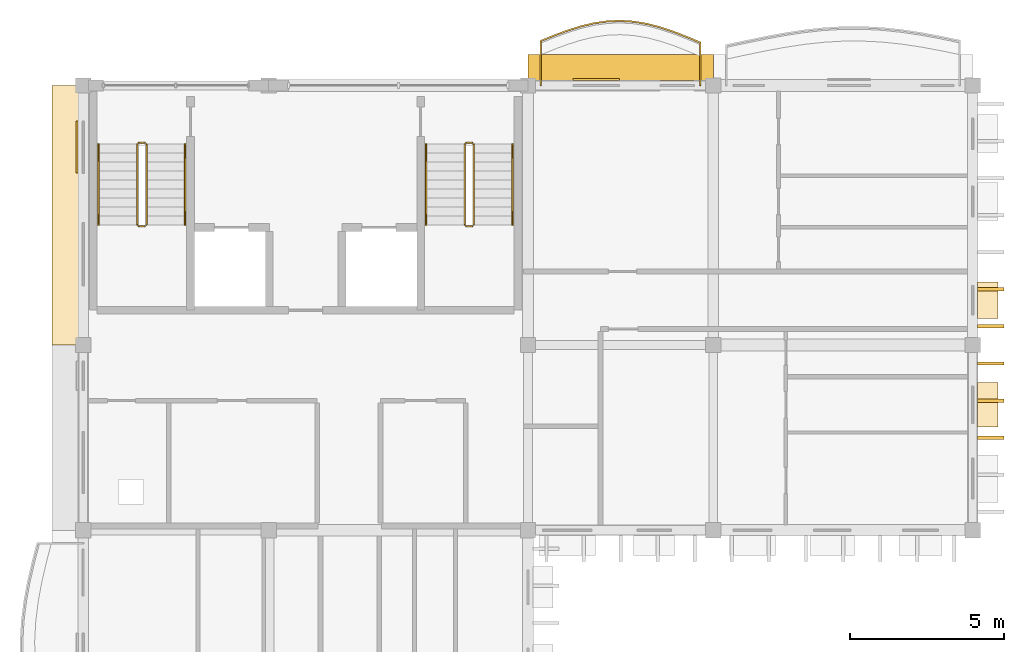
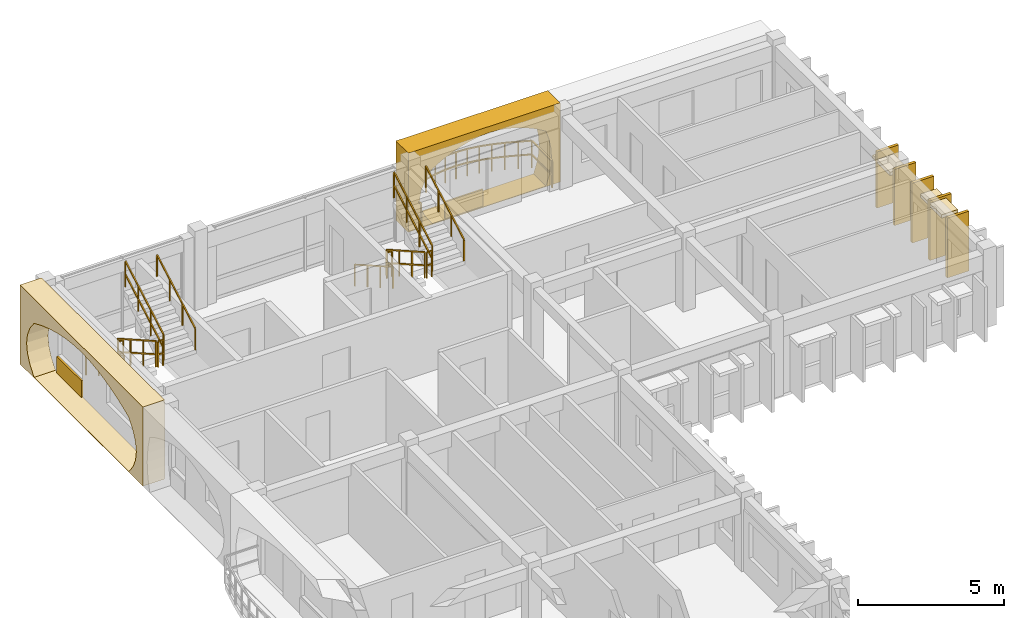
# One storey, part 10 of 11: 13 railings, 11 coverings.
"""IFC4 building model written with IfcOpenShell, lengths in metres."""

from ifc_helpers import new_model, si_unit, direction, frame, origin, origin_2d, place, context, subcontext, project, spatial, polyline, rectangle, outline, extrude, material, layer, layer_set, type_object, element, save


model = new_model("IFC4")

# Units and contexts
model_context = context("Model", 3, precision=1e-05, world=origin(), true_north=direction((0.0, 1.0)))
body_context = subcontext(model_context, "Body", "Model", "MODEL_VIEW")
ifc_project = project(units=[si_unit("LENGTHUNIT", "METRE"), si_unit("AREAUNIT", "SQUARE_METRE"), si_unit("VOLUMEUNIT", "CUBIC_METRE"), si_unit("PLANEANGLEUNIT", "RADIAN"), si_unit("MASSUNIT", "GRAM", prefix="KILO"), si_unit("THERMODYNAMICTEMPERATUREUNIT", "KELVIN")], contexts=[model_context])

# Site, building, storey
site_placement = place(None, origin())
site = spatial("IfcSite", under=ifc_project, at=site_placement, CompositionType="ELEMENT")
building_placement = place(site_placement, origin())
building = spatial("IfcBuilding", under=site, at=building_placement, Name="Thalorik Housing Commons", CompositionType="ELEMENT")
storey_placement = place(building_placement, frame((0.0, 0.0, 47.699951171875)))
storey = spatial("IfcBuildingStorey", under=building, at=storey_placement, Name="L14", CompositionType="ELEMENT", Elevation=47.699951171875)

# Coverings
ifc_material_1 = material(Name="Precast concrete C40/50", Category="concrete")
ifc_layer_1 = layer(ifc_material_1, 0.85009765625, Name="Precast concrete C40/50", Category="concrete")
ifc_layer_set_1 = layer_set([ifc_layer_1], Name="Precast concrete C40/50")
covering_type_1 = type_object("IfcCoveringType", Name="ARC-CLD-CUSH-850", PredefinedType="CLADDING", material=ifc_layer_set_1)
covering_1_placement = place(storey_placement, frame((25.800048828125, 124.18505859375, 0.0), z_axis=(0.0, 0.0, 1.0), x_axis=(-1.0, 0.0, 0.0)))
element("IfcCovering", 1, at=covering_1_placement, inside=storey, type_object=covering_type_1, Name="L14 White Precast Curved Cushion Bay Frame 1354", PredefinedType="CLADDING", context=body_context, shape_type="SweptSolid", body=[
    extrude(outline(polyline([(-3.0, 0.0), (3.0, 0.0), (3.0, 3.300048828125), (-3.0, 3.300048828125), (-3.0, 0.0)]), holes=[polyline([(2.0400390625, 0.02490234375), (2.3232421875, 0.407470703125), (2.493408203125, 0.7900390625), (2.550048828125, 1.172607421875), (2.493408203125, 1.554931640625), (2.3232421875, 1.9375), (2.0400390625, 2.320068359375), (1.66748046875, 2.539306640625), (1.294921875, 2.711181640625), (0.922607421875, 2.8505859375), (0.550048828125, 2.954345703125), (0.177490234375, 3.018310546875), (-0.195068359375, 3.0400390625), (-0.5673828125, 3.018310546875), (-0.93994140625, 2.954345703125), (-1.3125, 2.8505859375), (-1.68505859375, 2.711181640625), (-2.0576171875, 2.539306640625), (-2.429931640625, 2.320068359375), (-2.55029296875, 1.9375), (-2.62255859375, 1.554931640625), (-2.646484375, 1.172607421875), (-2.62255859375, 0.7900390625), (-2.55029296875, 0.407470703125), (-2.429931640625, 0.02490234375), (2.0400390625, 0.02490234375)])]), frame((0.0, 0.425048828125, 0.0), z_axis=(0.0, -1.0, 0.0), x_axis=(1.0, 0.0, 0.0)), (0.0, 0.0, 1.0), 0.85009765625),
])
covering_2_placement = place(storey_placement, frame((7.81494140625, 119.39990234375, 0.0), z_axis=(0.0, 0.0, 1.0), x_axis=(0.0, -1.0, 0.0)))
element("IfcCovering", 2, at=covering_2_placement, inside=storey, type_object=covering_type_1, Name="L14 White Precast Curved Cushion Bay Frame 1356", PredefinedType="CLADDING", context=body_context, shape_type="SweptSolid", body=[
    extrude(outline(polyline([(-4.199951171875, 0.0), (4.199951171875, 0.0), (4.199951171875, 3.300048828125), (-4.199951171875, 3.300048828125), (-4.199951171875, 0.0)]), holes=[polyline([(3.239990234375, 0.02490234375), (3.523193359375, 0.40087890625), (3.693359375, 0.776611328125), (3.75, 1.152587890625), (3.693359375, 1.5283203125), (3.523193359375, 1.904296875), (3.239990234375, 2.280029296875), (2.699951171875, 2.51123046875), (2.159912109375, 2.693115234375), (1.6201171875, 2.840087890625), (1.080078125, 2.94970703125), (0.5400390625, 3.01708984375), (0.0, 3.0400390625), (-0.5400390625, 3.01708984375), (-1.080078125, 2.94970703125), (-1.6201171875, 2.840087890625), (-2.159912109375, 2.693115234375), (-2.699951171875, 2.51123046875), (-3.239990234375, 2.280029296875), (-3.523193359375, 1.904296875), (-3.693359375, 1.5283203125), (-3.75, 1.152587890625), (-3.693359375, 0.776611328125), (-3.523193359375, 0.40087890625), (-3.239990234375, 0.02490234375), (3.239990234375, 0.02490234375)])]), frame((0.0, 0.425048828125, 0.0), z_axis=(0.0, -1.0, 0.0), x_axis=(1.0, 0.0, 0.0)), (0.0, 0.0, 1.0), 0.85009765625),
])
ifc_layer_2 = layer(ifc_material_1, 0.85009765625, Name="Precast concrete C40/50", Category="concrete")
ifc_layer_set_2 = layer_set([ifc_layer_2], Name="Precast concrete C40/50")
covering_type_2 = type_object("IfcCoveringType", Name="ARC-CLD-FIN-850", PredefinedType="CLADDING", material=ifc_layer_set_2)
for number, where, z_axis, x_axis, name in (
    (3, (37.784912109375, 112.199951171875, 0.0400390625), (0.0, 0.0, 1.0), (0.0, 1.0, 0.0), "L14 Courtyard Precast Vertical Brise-Soleil Fin 1337"),
    (4, (37.784912109375, 113.39990234375, 0.0400390625), (0.0, 0.0, 1.0), (0.0, 1.0, 0.0), "L14 Courtyard Precast Vertical Brise-Soleil Fin 1338"),
    (5, (37.784912109375, 114.60009765625, 0.0400390625), (0.0, 0.0, 1.0), (0.0, 1.0, 0.0), "L14 Courtyard Precast Vertical Brise-Soleil Fin 1339"),
):
    element("IfcCovering", number, at=place(storey_placement, frame(where, z_axis=z_axis, x_axis=x_axis)), inside=storey, type_object=covering_type_2, Name=name, PredefinedType="CLADDING", context=body_context, shape_type="SweptSolid", body=[
        extrude(rectangle(XDim=0.110107421875, YDim=0.85009765625, at=origin_2d()), origin(), (0.0, 0.0, 1.0), 2.4951171875),
    ])
for number, where, z_axis, x_axis, name in (
    (6, (37.784912109375, 115.800048828125, 0.0400390625), (0.0, 0.0, 1.0), (0.0, 1.0, 0.0), "L14 Courtyard Precast Vertical Brise-Soleil Fin 1342"),
    (7, (37.784912109375, 117.0, 0.0400390625), (0.0, 0.0, 1.0), (0.0, 1.0, 0.0), "L14 Courtyard Precast Vertical Brise-Soleil Fin 1343"),
):
    element("IfcCovering", number, at=place(storey_placement, frame(where, z_axis=z_axis, x_axis=x_axis)), inside=storey, type_object=covering_type_2, Name=name, PredefinedType="CLADDING", context=body_context, shape_type="SweptSolid", body=[
        extrude(rectangle(XDim=0.110107421875, YDim=0.85009765625, at=origin_2d()), origin(), (0.0, 0.0, 1.0), 2.344970703125),
    ])
ifc_layer_3 = layer(ifc_material_1, 0.64990234375, Name="Precast concrete C40/50", Category="concrete")
ifc_layer_set_3 = layer_set([ifc_layer_3], Name="Precast concrete C40/50")
covering_type_3 = type_object("IfcCoveringType", Name="ARC-CLD-HOOD-650", PredefinedType="CLADDING", material=ifc_layer_set_3)
covering_3_placement = place(storey_placement, frame((37.68505859375, 113.26513671875, 2.2900390625), z_axis=(0.0, 0.0, 1.0), x_axis=(0.0, 1.0, 0.0)))
element("IfcCovering", 8, at=covering_3_placement, inside=storey, type_object=covering_type_3, Name="L14 Courtyard Precast Window Sun-Hood 1341", PredefinedType="CLADDING", context=body_context, shape_type="SweptSolid", body=[
    extrude(rectangle(XDim=1.43994140625, YDim=0.64990234375, at=origin_2d()), origin(), (0.0, 0.0, 1.0), 0.139892578125),
])
covering_4_placement = place(storey_placement, frame((37.68505859375, 116.64990234375, 1.93994140625), z_axis=(0.0, 0.0, 1.0), x_axis=(0.0, 1.0, 0.0)))
element("IfcCovering", 9, at=covering_4_placement, inside=storey, type_object=covering_type_3, Name="L14 Courtyard Precast Window Sun-Hood 1349", PredefinedType="CLADDING", context=body_context, shape_type="SweptSolid", body=[
    extrude(rectangle(XDim=1.18994140625, YDim=0.64990234375, at=origin_2d()), origin(), (0.0, 0.0, 1.0), 0.139892578125),
])
ifc_material_2 = material(Name="Mineral ochre architectural terracotta panel", Category="masonry")
ifc_layer_4 = layer(ifc_material_2, 0.06494140625, Name="Mineral ochre architectural terracotta panel", Category="masonry")
ifc_layer_set_4 = layer_set([ifc_layer_4], Name="Mineral ochre architectural terracotta panel")
covering_type_4 = type_object("IfcCoveringType", Name="ARC-CLD-YEL-65", PredefinedType="CLADDING", material=ifc_layer_set_4)
covering_5_placement = place(storey_placement, frame((25.010009765625, 123.797607421875, 0.05029296875), z_axis=(0.0, 0.0, 1.0), x_axis=(-1.0, 0.0, 0.0)))
element("IfcCovering", 10, at=covering_5_placement, inside=storey, type_object=covering_type_4, Name="L14 De Stijl Recessed Window Spandrel 1355", PredefinedType="CLADDING", context=body_context, shape_type="SweptSolid", body=[
    extrude(rectangle(XDim=1.5, YDim=0.06494140625, at=origin_2d()), origin(), (0.0, 0.0, 1.0), 0.699951171875),
])
covering_6_placement = place(storey_placement, frame((8.202392578125, 121.603759765625, 0.05029296875), z_axis=(0.0, 0.0, 1.0), x_axis=(0.0, -1.0, 0.0)))
element("IfcCovering", 11, at=covering_6_placement, inside=storey, type_object=covering_type_4, Name="L14 De Stijl Recessed Window Spandrel 1357", PredefinedType="CLADDING", context=body_context, shape_type="SweptSolid", body=[
    extrude(rectangle(XDim=1.679931640625, YDim=0.06494140625, at=origin_2d()), origin(), (0.0, 0.0, 1.0), 0.699951171875),
])

# Railings
ifc_material_3 = material(Name="Steel S355", Category="steel")
railing_type_1 = type_object("IfcRailingType", Name="ARC-RL-BAL-115", PredefinedType="BALUSTRADE", material=ifc_material_3)
railing_1_placement = place(storey_placement, frame((28.3798828125, 123.60009765625, 0.0)))
element("IfcRailing", 12, at=railing_1_placement, inside=storey, type_object=railing_type_1, Name="L14 Cushion Balcony Guardrail 91", PredefinedType="BALUSTRADE", context=body_context, shape_type="SweptSolid", body=[
    extrude(rectangle(XDim=0.050048828125, YDim=0.050048828125, at=origin_2d()), frame((0.0, 0.0, 1.125), z_axis=(0.0, 1.0, 0.0), x_axis=(-1.0, 0.0, 0.0)), (0.0, 0.0, 1.0), 1.390625),
    extrude(rectangle(XDim=0.050048828125, YDim=0.050048828125, at=origin_2d()), frame((0.0, 0.0, 0.5498046875), z_axis=(0.0, 1.0, 0.0), x_axis=(-1.0, 0.0, 0.0)), (0.0, 0.0, 1.0), 1.390625),
    extrude(rectangle(XDim=0.050048828125, YDim=0.050048828125, at=origin_2d()), frame((0.0, 1.390625, 1.125), z_axis=(-0.922657844822, 0.385619633043, 0.0), x_axis=(-0.385619633043, -0.922657844822, 0.0)), (0.0, 0.0, 1.0), 0.466064453125),
    extrude(rectangle(XDim=0.050048828125, YDim=0.050048828125, at=origin_2d()), frame((0.0, 1.390625, 0.5498046875), z_axis=(-0.922657844822, 0.385619633043, 0.0), x_axis=(-0.385619633043, -0.922657844822, 0.0)), (0.0, 0.0, 1.0), 0.466064453125),
    extrude(rectangle(XDim=0.050048828125, YDim=0.050048828125, at=origin_2d()), frame((-0.429931640625, 1.5703125, 1.125), z_axis=(-0.931616942852, 0.363441703429, 0.0), x_axis=(-0.363441703429, -0.931616942852, 0.0)), (0.0, 0.0, 1.0), 0.46142578125),
    extrude(rectangle(XDim=0.050048828125, YDim=0.050048828125, at=origin_2d()), frame((-0.429931640625, 1.5703125, 0.5498046875), z_axis=(-0.931616942852, 0.363441703429, 0.0), x_axis=(-0.363441703429, -0.931616942852, 0.0)), (0.0, 0.0, 1.0), 0.46142578125),
    extrude(rectangle(XDim=0.050048828125, YDim=0.050048828125, at=origin_2d()), frame((-0.85986328125, 1.738037109375, 1.125), z_axis=(-0.948035297772, 0.318165168077, 0.0), x_axis=(-0.318165168077, -0.948035297772, 0.0)), (0.0, 0.0, 1.0), 0.45361328125),
    extrude(rectangle(XDim=0.050048828125, YDim=0.050048828125, at=origin_2d()), frame((-0.85986328125, 1.738037109375, 0.5498046875), z_axis=(-0.948035297772, 0.318165168077, 0.0), x_axis=(-0.318165168077, -0.948035297772, 0.0)), (0.0, 0.0, 1.0), 0.45361328125),
    extrude(rectangle(XDim=0.050048828125, YDim=0.050048828125, at=origin_2d()), frame((-1.289794921875, 1.88232421875, 1.125), z_axis=(-0.967570603948, 0.252600725208, 0.0), x_axis=(-0.252600725208, -0.967570603948, 0.0)), (0.0, 0.0, 1.0), 0.444580078125),
    extrude(rectangle(XDim=0.050048828125, YDim=0.050048828125, at=origin_2d()), frame((-1.289794921875, 1.88232421875, 0.5498046875), z_axis=(-0.967570603948, 0.252600725208, 0.0), x_axis=(-0.252600725208, -0.967570603948, 0.0)), (0.0, 0.0, 1.0), 0.444580078125),
    extrude(rectangle(XDim=0.050048828125, YDim=0.050048828125, at=origin_2d()), frame((-1.719970703125, 1.99462890625, 1.125), z_axis=(-0.986074270485, 0.16630554136, 0.0), x_axis=(-0.16630554136, -0.986074270485, 0.0)), (0.0, 0.0, 1.0), 0.43603515625),
    extrude(rectangle(XDim=0.050048828125, YDim=0.050048828125, at=origin_2d()), frame((-1.719970703125, 1.99462890625, 0.5498046875), z_axis=(-0.986074270485, 0.16630554136, 0.0), x_axis=(-0.16630554136, -0.986074270485, 0.0)), (0.0, 0.0, 1.0), 0.43603515625),
    extrude(rectangle(XDim=0.050048828125, YDim=0.050048828125, at=origin_2d()), frame((-2.14990234375, 2.067138671875, 1.125), z_axis=(-0.997800175086, 0.06629336768, 0.0), x_axis=(-0.06629336768, -0.997800175086, 0.0)), (0.0, 0.0, 1.0), 0.430908203125),
    extrude(rectangle(XDim=0.050048828125, YDim=0.050048828125, at=origin_2d()), frame((-2.14990234375, 2.067138671875, 0.5498046875), z_axis=(-0.997800175086, 0.06629336768, 0.0), x_axis=(-0.06629336768, -0.997800175086, 0.0)), (0.0, 0.0, 1.0), 0.430908203125),
    extrude(rectangle(XDim=0.050048828125, YDim=0.050048828125, at=origin_2d()), frame((-2.579833984375, 2.095703125, 1.125), z_axis=(-0.999210898113, -0.039718775053, 0.0), x_axis=(0.039718775053, -0.999210898113, 0.0)), (0.0, 0.0, 1.0), 0.43017578125),
    extrude(rectangle(XDim=0.050048828125, YDim=0.050048828125, at=origin_2d()), frame((-2.579833984375, 2.095703125, 0.5498046875), z_axis=(-0.999210898113, -0.039718775053, 0.0), x_axis=(0.039718775053, -0.999210898113, 0.0)), (0.0, 0.0, 1.0), 0.43017578125),
    extrude(rectangle(XDim=0.050048828125, YDim=0.050048828125, at=origin_2d()), frame((-3.009765625, 2.07861328125, 1.125), z_axis=(-0.989927008359, -0.141578664079, 0.0), x_axis=(0.141578664079, -0.989927008359, 0.0)), (0.0, 0.0, 1.0), 0.4345703125),
    extrude(rectangle(XDim=0.050048828125, YDim=0.050048828125, at=origin_2d()), frame((-3.009765625, 2.07861328125, 0.5498046875), z_axis=(-0.989927008359, -0.141578664079, 0.0), x_axis=(0.141578664079, -0.989927008359, 0.0)), (0.0, 0.0, 1.0), 0.4345703125),
    extrude(rectangle(XDim=0.050048828125, YDim=0.050048828125, at=origin_2d()), frame((-3.43994140625, 2.01708984375, 1.125), z_axis=(-0.973090069964, -0.230425076192, 0.0), x_axis=(0.230425076192, -0.973090069964, 0.0)), (0.0, 0.0, 1.0), 0.44189453125),
    extrude(rectangle(XDim=0.050048828125, YDim=0.050048828125, at=origin_2d()), frame((-3.43994140625, 2.01708984375, 0.5498046875), z_axis=(-0.973090069964, -0.230425076192, 0.0), x_axis=(0.230425076192, -0.973090069964, 0.0)), (0.0, 0.0, 1.0), 0.44189453125),
    extrude(rectangle(XDim=0.050048828125, YDim=0.050048828125, at=origin_2d()), frame((-3.869873046875, 1.915283203125, 1.125), z_axis=(-0.953909569084, -0.300094208559, 0.0), x_axis=(0.300094208559, -0.953909569084, 0.0)), (0.0, 0.0, 1.0), 0.45068359375),
    extrude(rectangle(XDim=0.050048828125, YDim=0.050048828125, at=origin_2d()), frame((-3.869873046875, 1.915283203125, 0.5498046875), z_axis=(-0.953909569084, -0.300094208559, 0.0), x_axis=(0.300094208559, -0.953909569084, 0.0)), (0.0, 0.0, 1.0), 0.45068359375),
    extrude(rectangle(XDim=0.050048828125, YDim=0.050048828125, at=origin_2d()), frame((-4.2998046875, 1.780029296875, 1.125), z_axis=(-0.937330979003, -0.348440290152, 0.0), x_axis=(0.348440290152, -0.937330979003, 0.0)), (0.0, 0.0, 1.0), 0.458984375),
    extrude(rectangle(XDim=0.050048828125, YDim=0.050048828125, at=origin_2d()), frame((-4.2998046875, 1.780029296875, 0.5498046875), z_axis=(-0.937330979003, -0.348440290152, 0.0), x_axis=(0.348440290152, -0.937330979003, 0.0)), (0.0, 0.0, 1.0), 0.458984375),
    extrude(rectangle(XDim=0.050048828125, YDim=0.050048828125, at=origin_2d()), frame((-4.72998046875, 1.6201171875, 1.125), z_axis=(-0.927090603985, -0.374837314047, 0.0), x_axis=(0.374837314047, -0.927090603985, 0.0)), (0.0, 0.0, 1.0), 0.463623046875),
    extrude(rectangle(XDim=0.050048828125, YDim=0.050048828125, at=origin_2d()), frame((-4.72998046875, 1.6201171875, 0.5498046875), z_axis=(-0.927090603985, -0.374837314047, 0.0), x_axis=(0.374837314047, -0.927090603985, 0.0)), (0.0, 0.0, 1.0), 0.463623046875),
    extrude(rectangle(XDim=0.050048828125, YDim=0.050048828125, at=origin_2d()), frame((-5.159912109375, 1.4462890625, 1.125), z_axis=(0.0, -1.0, 0.0), x_axis=(1.0, 0.0, 0.0)), (0.0, 0.0, 1.0), 1.4462890625),
    extrude(rectangle(XDim=0.050048828125, YDim=0.050048828125, at=origin_2d()), frame((-5.159912109375, 1.4462890625, 0.5498046875), z_axis=(0.0, -1.0, 0.0), x_axis=(1.0, 0.0, 0.0)), (0.0, 0.0, 1.0), 1.4462890625),
    extrude(rectangle(XDim=0.0419921875, YDim=0.0419921875, at=origin_2d()), origin(), (0.0, 0.0, 1.0), 1.099853515625),
    extrude(rectangle(XDim=0.0419921875, YDim=0.0419921875, at=origin_2d()), frame((0.0, 1.390625, 0.0)), (0.0, 0.0, 1.0), 1.099853515625),
    extrude(rectangle(XDim=0.0419921875, YDim=0.0419921875, at=origin_2d()), frame((-0.429931640625, 1.5703125, 0.0)), (0.0, 0.0, 1.0), 1.099853515625),
    extrude(rectangle(XDim=0.0419921875, YDim=0.0419921875, at=origin_2d()), frame((-0.85986328125, 1.738037109375, 0.0)), (0.0, 0.0, 1.0), 1.099853515625),
    extrude(rectangle(XDim=0.0419921875, YDim=0.0419921875, at=origin_2d()), frame((-1.289794921875, 1.88232421875, 0.0)), (0.0, 0.0, 1.0), 1.099853515625),
    extrude(rectangle(XDim=0.0419921875, YDim=0.0419921875, at=origin_2d()), frame((-1.719970703125, 1.99462890625, 0.0)), (0.0, 0.0, 1.0), 1.099853515625),
    extrude(rectangle(XDim=0.0419921875, YDim=0.0419921875, at=origin_2d()), frame((-2.14990234375, 2.067138671875, 0.0)), (0.0, 0.0, 1.0), 1.099853515625),
    extrude(rectangle(XDim=0.0419921875, YDim=0.0419921875, at=origin_2d()), frame((-2.579833984375, 2.095703125, 0.0)), (0.0, 0.0, 1.0), 1.099853515625),
    extrude(rectangle(XDim=0.0419921875, YDim=0.0419921875, at=origin_2d()), frame((-3.009765625, 2.07861328125, 0.0)), (0.0, 0.0, 1.0), 1.099853515625),
    extrude(rectangle(XDim=0.0419921875, YDim=0.0419921875, at=origin_2d()), frame((-3.43994140625, 2.01708984375, 0.0)), (0.0, 0.0, 1.0), 1.099853515625),
    extrude(rectangle(XDim=0.0419921875, YDim=0.0419921875, at=origin_2d()), frame((-3.869873046875, 1.915283203125, 0.0)), (0.0, 0.0, 1.0), 1.099853515625),
    extrude(rectangle(XDim=0.0419921875, YDim=0.0419921875, at=origin_2d()), frame((-4.2998046875, 1.780029296875, 0.0)), (0.0, 0.0, 1.0), 1.099853515625),
    extrude(rectangle(XDim=0.0419921875, YDim=0.0419921875, at=origin_2d()), frame((-4.72998046875, 1.6201171875, 0.0)), (0.0, 0.0, 1.0), 1.099853515625),
    extrude(rectangle(XDim=0.0419921875, YDim=0.0419921875, at=origin_2d()), frame((-5.159912109375, 1.4462890625, 0.0)), (0.0, 0.0, 1.0), 1.099853515625),
    extrude(rectangle(XDim=0.0419921875, YDim=0.0419921875, at=origin_2d()), frame((-5.159912109375, 0.0, 0.0)), (0.0, 0.0, 1.0), 1.099853515625),
])
railing_type_2 = type_object("IfcRailingType", Name="ARC-RL-STR-GRD110", PredefinedType="GUARDRAIL", material=ifc_material_3)
railing_2_placement = place(storey_placement, frame((10.14990234375, 121.699951171875, 0.1650390625)))
element("IfcRailing", 13, at=railing_2_placement, inside=storey, type_object=railing_type_2, Name="L14 ST-A1 stair guard 1", PredefinedType="GUARDRAIL", context=body_context, shape_type="SweptSolid", body=[
    extrude(rectangle(XDim=0.048095703125, YDim=0.048095703125, at=origin_2d()), frame((0.0, 0.0, 1.076171875), z_axis=(0.0, -0.869137319866, 0.494570843475), x_axis=(1.0, 0.0, 0.0)), (0.0, 0.0, 1.0), 3.0029296875),
    extrude(rectangle(XDim=0.048095703125, YDim=0.048095703125, at=origin_2d()), frame((0.0, 0.0, 0.52587890625), z_axis=(0.0, -0.869137319866, 0.494570843475), x_axis=(1.0, 0.0, 0.0)), (0.0, 0.0, 1.0), 3.0029296875),
    extrude(rectangle(XDim=0.0419921875, YDim=0.0419921875, at=origin_2d()), origin(), (0.0, 0.0, 1.0), 1.052001953125),
    extrude(rectangle(XDim=0.0419921875, YDim=0.0419921875, at=origin_2d()), frame((0.0, -0.869873046875, 0.4951171875)), (0.0, 0.0, 1.0), 1.052001953125),
    extrude(rectangle(XDim=0.0419921875, YDim=0.0419921875, at=origin_2d()), frame((0.0, -1.739990234375, 0.989990234375)), (0.0, 0.0, 1.0), 1.052001953125),
    extrude(rectangle(XDim=0.0419921875, YDim=0.0419921875, at=origin_2d()), frame((0.0, -2.60986328125, 1.485107421875)), (0.0, 0.0, 1.0), 1.052001953125),
])
railing_3_placement = place(storey_placement, frame((10.199951171875, 119.0400390625, 1.650146484375)))
element("IfcRailing", 14, at=railing_3_placement, inside=storey, type_object=railing_type_2, Name="L14 ST-A1 stair guard 2", PredefinedType="GUARDRAIL", context=body_context, shape_type="SweptSolid", body=[
    extrude(rectangle(XDim=0.048095703125, YDim=0.048095703125, at=origin_2d()), frame((0.0, 0.0, 1.076171875), z_axis=(1.0, 0.0, 0.0), x_axis=(0.0, 1.0, 0.0)), (0.0, 0.0, 1.0), 0.199951171875),
    extrude(rectangle(XDim=0.048095703125, YDim=0.048095703125, at=origin_2d()), frame((0.0, 0.0, 0.52587890625), z_axis=(1.0, 0.0, 0.0), x_axis=(0.0, 1.0, 0.0)), (0.0, 0.0, 1.0), 0.199951171875),
    extrude(rectangle(XDim=0.0419921875, YDim=0.0419921875, at=origin_2d()), origin(), (0.0, 0.0, 1.0), 1.052001953125),
    extrude(rectangle(XDim=0.0419921875, YDim=0.0419921875, at=origin_2d()), frame((0.199951171875, 0.0, 0.0)), (0.0, 0.0, 1.0), 1.052001953125),
])
railing_4_placement = place(storey_placement, frame((10.449951171875, 119.090087890625, 1.81494140625)))
element("IfcRailing", 15, at=railing_4_placement, inside=storey, type_object=railing_type_2, Name="L14 ST-A1 stair guard 3", PredefinedType="GUARDRAIL", context=body_context, shape_type="SweptSolid", body=[
    extrude(rectangle(XDim=0.048095703125, YDim=0.048095703125, at=origin_2d()), frame((0.0, 0.0, 1.076171875), z_axis=(0.0, 0.869137319866, 0.494570843475), x_axis=(-1.0, 0.0, 0.0)), (0.0, 0.0, 1.0), 3.0029296875),
    extrude(rectangle(XDim=0.048095703125, YDim=0.048095703125, at=origin_2d()), frame((0.0, 0.0, 0.52587890625), z_axis=(0.0, 0.869137319866, 0.494570843475), x_axis=(-1.0, 0.0, 0.0)), (0.0, 0.0, 1.0), 3.0029296875),
    extrude(rectangle(XDim=0.0419921875, YDim=0.0419921875, at=origin_2d()), origin(), (0.0, 0.0, 1.0), 1.052001953125),
    extrude(rectangle(XDim=0.0419921875, YDim=0.0419921875, at=origin_2d()), frame((0.0, 0.869873046875, 0.4951171875)), (0.0, 0.0, 1.0), 1.052001953125),
    extrude(rectangle(XDim=0.0419921875, YDim=0.0419921875, at=origin_2d()), frame((0.0, 1.739990234375, 0.989990234375)), (0.0, 0.0, 1.0), 1.052001953125),
    extrude(rectangle(XDim=0.0419921875, YDim=0.0419921875, at=origin_2d()), frame((0.0, 2.60986328125, 1.485107421875)), (0.0, 0.0, 1.0), 1.052001953125),
])
railing_5_placement = place(storey_placement, frame((10.199951171875, 121.75, 0.0)))
element("IfcRailing", 16, at=railing_5_placement, inside=storey, type_object=railing_type_2, Name="L14 ST-A1 stair guard 4", PredefinedType="GUARDRAIL", context=body_context, shape_type="SweptSolid", body=[
    extrude(rectangle(XDim=0.048095703125, YDim=0.048095703125, at=origin_2d()), frame((0.0, 0.0, 1.076171875), z_axis=(1.0, 0.0, 0.0), x_axis=(0.0, 1.0, 0.0)), (0.0, 0.0, 1.0), 0.199951171875),
    extrude(rectangle(XDim=0.048095703125, YDim=0.048095703125, at=origin_2d()), frame((0.0, 0.0, 0.52587890625), z_axis=(1.0, 0.0, 0.0), x_axis=(0.0, 1.0, 0.0)), (0.0, 0.0, 1.0), 0.199951171875),
    extrude(rectangle(XDim=0.0419921875, YDim=0.0419921875, at=origin_2d()), origin(), (0.0, 0.0, 1.0), 1.052001953125),
    extrude(rectangle(XDim=0.0419921875, YDim=0.0419921875, at=origin_2d()), frame((0.199951171875, 0.0, 0.0)), (0.0, 0.0, 1.0), 1.052001953125),
])
railing_6_placement = place(storey_placement, frame((20.75, 121.699951171875, 0.1650390625)))
element("IfcRailing", 17, at=railing_6_placement, inside=storey, type_object=railing_type_2, Name="L14 ST-A2 stair guard 1", PredefinedType="GUARDRAIL", context=body_context, shape_type="SweptSolid", body=[
    extrude(rectangle(XDim=0.048095703125, YDim=0.048095703125, at=origin_2d()), frame((0.0, 0.0, 1.076171875), z_axis=(0.0, -0.869137319866, 0.494570843475), x_axis=(1.0, 0.0, 0.0)), (0.0, 0.0, 1.0), 3.0029296875),
    extrude(rectangle(XDim=0.048095703125, YDim=0.048095703125, at=origin_2d()), frame((0.0, 0.0, 0.52587890625), z_axis=(0.0, -0.869137319866, 0.494570843475), x_axis=(1.0, 0.0, 0.0)), (0.0, 0.0, 1.0), 3.0029296875),
    extrude(rectangle(XDim=0.0419921875, YDim=0.0419921875, at=origin_2d()), origin(), (0.0, 0.0, 1.0), 1.052001953125),
    extrude(rectangle(XDim=0.0419921875, YDim=0.0419921875, at=origin_2d()), frame((0.0, -0.869873046875, 0.4951171875)), (0.0, 0.0, 1.0), 1.052001953125),
    extrude(rectangle(XDim=0.0419921875, YDim=0.0419921875, at=origin_2d()), frame((0.0, -1.739990234375, 0.989990234375)), (0.0, 0.0, 1.0), 1.052001953125),
    extrude(rectangle(XDim=0.0419921875, YDim=0.0419921875, at=origin_2d()), frame((0.0, -2.60986328125, 1.485107421875)), (0.0, 0.0, 1.0), 1.052001953125),
])
railing_7_placement = place(storey_placement, frame((20.800048828125, 119.0400390625, 1.650146484375)))
element("IfcRailing", 18, at=railing_7_placement, inside=storey, type_object=railing_type_2, Name="L14 ST-A2 stair guard 2", PredefinedType="GUARDRAIL", context=body_context, shape_type="SweptSolid", body=[
    extrude(rectangle(XDim=0.048095703125, YDim=0.048095703125, at=origin_2d()), frame((0.0, 0.0, 1.076171875), z_axis=(1.0, 0.0, 0.0), x_axis=(0.0, 1.0, 0.0)), (0.0, 0.0, 1.0), 0.199951171875),
    extrude(rectangle(XDim=0.048095703125, YDim=0.048095703125, at=origin_2d()), frame((0.0, 0.0, 0.52587890625), z_axis=(1.0, 0.0, 0.0), x_axis=(0.0, 1.0, 0.0)), (0.0, 0.0, 1.0), 0.199951171875),
    extrude(rectangle(XDim=0.0419921875, YDim=0.0419921875, at=origin_2d()), origin(), (0.0, 0.0, 1.0), 1.052001953125),
    extrude(rectangle(XDim=0.0419921875, YDim=0.0419921875, at=origin_2d()), frame((0.199951171875, 0.0, 0.0)), (0.0, 0.0, 1.0), 1.052001953125),
])
railing_8_placement = place(storey_placement, frame((21.050048828125, 119.090087890625, 1.81494140625)))
element("IfcRailing", 19, at=railing_8_placement, inside=storey, type_object=railing_type_2, Name="L14 ST-A2 stair guard 3", PredefinedType="GUARDRAIL", context=body_context, shape_type="SweptSolid", body=[
    extrude(rectangle(XDim=0.048095703125, YDim=0.048095703125, at=origin_2d()), frame((0.0, 0.0, 1.076171875), z_axis=(0.0, 0.869137319866, 0.494570843475), x_axis=(-1.0, 0.0, 0.0)), (0.0, 0.0, 1.0), 3.0029296875),
    extrude(rectangle(XDim=0.048095703125, YDim=0.048095703125, at=origin_2d()), frame((0.0, 0.0, 0.52587890625), z_axis=(0.0, 0.869137319866, 0.494570843475), x_axis=(-1.0, 0.0, 0.0)), (0.0, 0.0, 1.0), 3.0029296875),
    extrude(rectangle(XDim=0.0419921875, YDim=0.0419921875, at=origin_2d()), origin(), (0.0, 0.0, 1.0), 1.052001953125),
    extrude(rectangle(XDim=0.0419921875, YDim=0.0419921875, at=origin_2d()), frame((0.0, 0.869873046875, 0.4951171875)), (0.0, 0.0, 1.0), 1.052001953125),
    extrude(rectangle(XDim=0.0419921875, YDim=0.0419921875, at=origin_2d()), frame((0.0, 1.739990234375, 0.989990234375)), (0.0, 0.0, 1.0), 1.052001953125),
    extrude(rectangle(XDim=0.0419921875, YDim=0.0419921875, at=origin_2d()), frame((0.0, 2.60986328125, 1.485107421875)), (0.0, 0.0, 1.0), 1.052001953125),
])
railing_9_placement = place(storey_placement, frame((20.800048828125, 121.75, 0.0)))
element("IfcRailing", 20, at=railing_9_placement, inside=storey, type_object=railing_type_2, Name="L14 ST-A2 stair guard 4", PredefinedType="GUARDRAIL", context=body_context, shape_type="SweptSolid", body=[
    extrude(rectangle(XDim=0.048095703125, YDim=0.048095703125, at=origin_2d()), frame((0.0, 0.0, 1.076171875), z_axis=(1.0, 0.0, 0.0), x_axis=(0.0, 1.0, 0.0)), (0.0, 0.0, 1.0), 0.199951171875),
    extrude(rectangle(XDim=0.048095703125, YDim=0.048095703125, at=origin_2d()), frame((0.0, 0.0, 0.52587890625), z_axis=(1.0, 0.0, 0.0), x_axis=(0.0, 1.0, 0.0)), (0.0, 0.0, 1.0), 0.199951171875),
    extrude(rectangle(XDim=0.0419921875, YDim=0.0419921875, at=origin_2d()), origin(), (0.0, 0.0, 1.0), 1.052001953125),
    extrude(rectangle(XDim=0.0419921875, YDim=0.0419921875, at=origin_2d()), frame((0.199951171875, 0.0, 0.0)), (0.0, 0.0, 1.0), 1.052001953125),
])
railing_type_3 = type_object("IfcRailingType", Name="ARC-RL-STR-HR092", PredefinedType="HANDRAIL", material=ifc_material_3)
railing_10_placement = place(storey_placement, frame((8.89990234375, 121.699951171875, 0.1650390625)))
element("IfcRailing", 21, at=railing_10_placement, inside=storey, type_object=railing_type_3, Name="L14 ST-A1 stair handrail 1", PredefinedType="HANDRAIL", context=body_context, shape_type="SweptSolid", body=[
    extrude(rectangle(XDim=0.048095703125, YDim=0.048095703125, at=origin_2d()), frame((0.0, 0.0, 0.89599609375), z_axis=(0.0, -0.869137319866, 0.494570843475), x_axis=(1.0, 0.0, 0.0)), (0.0, 0.0, 1.0), 3.0029296875),
    extrude(rectangle(XDim=0.0419921875, YDim=0.0419921875, at=origin_2d()), origin(), (0.0, 0.0, 1.0), 0.871826171875),
    extrude(rectangle(XDim=0.0419921875, YDim=0.0419921875, at=origin_2d()), frame((0.0, -0.869873046875, 0.4951171875)), (0.0, 0.0, 1.0), 0.871826171875),
    extrude(rectangle(XDim=0.0419921875, YDim=0.0419921875, at=origin_2d()), frame((0.0, -1.739990234375, 0.989990234375)), (0.0, 0.0, 1.0), 0.871826171875),
    extrude(rectangle(XDim=0.0419921875, YDim=0.0419921875, at=origin_2d()), frame((0.0, -2.60986328125, 1.485107421875)), (0.0, 0.0, 1.0), 0.871826171875),
])
railing_11_placement = place(storey_placement, frame((11.699951171875, 119.090087890625, 1.81494140625)))
element("IfcRailing", 22, at=railing_11_placement, inside=storey, type_object=railing_type_3, Name="L14 ST-A1 stair handrail 2", PredefinedType="HANDRAIL", context=body_context, shape_type="SweptSolid", body=[
    extrude(rectangle(XDim=0.048095703125, YDim=0.048095703125, at=origin_2d()), frame((0.0, 0.0, 0.89599609375), z_axis=(0.0, 0.869137319866, 0.494570843475), x_axis=(-1.0, 0.0, 0.0)), (0.0, 0.0, 1.0), 3.0029296875),
    extrude(rectangle(XDim=0.0419921875, YDim=0.0419921875, at=origin_2d()), origin(), (0.0, 0.0, 1.0), 0.871826171875),
    extrude(rectangle(XDim=0.0419921875, YDim=0.0419921875, at=origin_2d()), frame((0.0, 0.869873046875, 0.4951171875)), (0.0, 0.0, 1.0), 0.871826171875),
    extrude(rectangle(XDim=0.0419921875, YDim=0.0419921875, at=origin_2d()), frame((0.0, 1.739990234375, 0.989990234375)), (0.0, 0.0, 1.0), 0.871826171875),
    extrude(rectangle(XDim=0.0419921875, YDim=0.0419921875, at=origin_2d()), frame((0.0, 2.60986328125, 1.485107421875)), (0.0, 0.0, 1.0), 0.871826171875),
])
railing_12_placement = place(storey_placement, frame((19.5, 121.699951171875, 0.1650390625)))
element("IfcRailing", 23, at=railing_12_placement, inside=storey, type_object=railing_type_3, Name="L14 ST-A2 stair handrail 1", PredefinedType="HANDRAIL", context=body_context, shape_type="SweptSolid", body=[
    extrude(rectangle(XDim=0.048095703125, YDim=0.048095703125, at=origin_2d()), frame((0.0, 0.0, 0.89599609375), z_axis=(0.0, -0.869137319866, 0.494570843475), x_axis=(1.0, 0.0, 0.0)), (0.0, 0.0, 1.0), 3.0029296875),
    extrude(rectangle(XDim=0.0419921875, YDim=0.0419921875, at=origin_2d()), origin(), (0.0, 0.0, 1.0), 0.871826171875),
    extrude(rectangle(XDim=0.0419921875, YDim=0.0419921875, at=origin_2d()), frame((0.0, -0.869873046875, 0.4951171875)), (0.0, 0.0, 1.0), 0.871826171875),
    extrude(rectangle(XDim=0.0419921875, YDim=0.0419921875, at=origin_2d()), frame((0.0, -1.739990234375, 0.989990234375)), (0.0, 0.0, 1.0), 0.871826171875),
    extrude(rectangle(XDim=0.0419921875, YDim=0.0419921875, at=origin_2d()), frame((0.0, -2.60986328125, 1.485107421875)), (0.0, 0.0, 1.0), 0.871826171875),
])
railing_13_placement = place(storey_placement, frame((22.300048828125, 119.090087890625, 1.81494140625)))
element("IfcRailing", 24, at=railing_13_placement, inside=storey, type_object=railing_type_3, Name="L14 ST-A2 stair handrail 2", PredefinedType="HANDRAIL", context=body_context, shape_type="SweptSolid", body=[
    extrude(rectangle(XDim=0.048095703125, YDim=0.048095703125, at=origin_2d()), frame((0.0, 0.0, 0.89599609375), z_axis=(0.0, 0.869137319866, 0.494570843475), x_axis=(-1.0, 0.0, 0.0)), (0.0, 0.0, 1.0), 3.0029296875),
    extrude(rectangle(XDim=0.0419921875, YDim=0.0419921875, at=origin_2d()), origin(), (0.0, 0.0, 1.0), 0.871826171875),
    extrude(rectangle(XDim=0.0419921875, YDim=0.0419921875, at=origin_2d()), frame((0.0, 0.869873046875, 0.4951171875)), (0.0, 0.0, 1.0), 0.871826171875),
    extrude(rectangle(XDim=0.0419921875, YDim=0.0419921875, at=origin_2d()), frame((0.0, 1.739990234375, 0.989990234375)), (0.0, 0.0, 1.0), 0.871826171875),
    extrude(rectangle(XDim=0.0419921875, YDim=0.0419921875, at=origin_2d()), frame((0.0, 2.60986328125, 1.485107421875)), (0.0, 0.0, 1.0), 0.871826171875),
])

save(model, "model.ifc")
